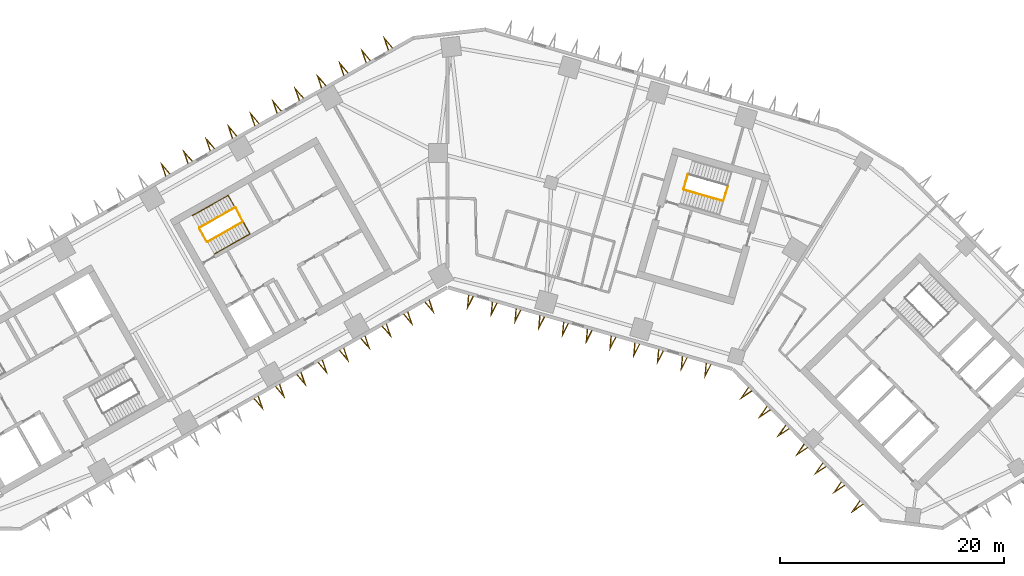
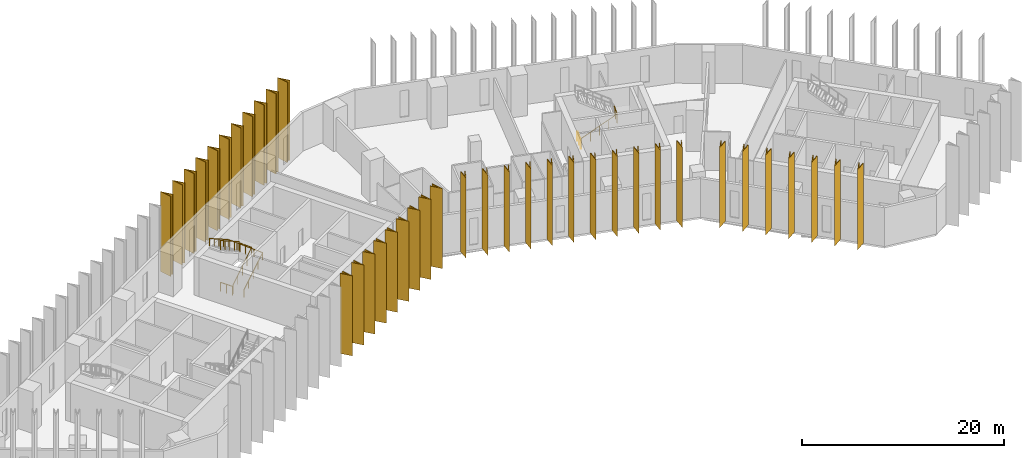
# One storey, part 10 of 11: 38 shading devices, 6 railings.
"""IFC4 building model written with IfcOpenShell, lengths in metres."""

from ifc_helpers import new_model, si_unit, direction, frame, origin, origin_2d, place, context, subcontext, project, spatial, polyline, circle, outline, extrude, material, type_object, element, save


model = new_model("IFC4")

# Units and contexts
model_context = context("Model", 3, precision=1e-05, world=origin(), true_north=direction((0.0, 1.0)))
body_context = subcontext(model_context, "Body", "Model", "MODEL_VIEW")
ifc_project = project(units=[si_unit("LENGTHUNIT", "METRE"), si_unit("AREAUNIT", "SQUARE_METRE"), si_unit("VOLUMEUNIT", "CUBIC_METRE"), si_unit("PLANEANGLEUNIT", "RADIAN"), si_unit("MASSUNIT", "GRAM", prefix="KILO")], contexts=[model_context])

# Site, building, storey
site_placement = place(None, origin())
site = spatial("IfcSite", under=ifc_project, at=site_placement, CompositionType="ELEMENT")
building_placement = place(site_placement, origin())
building = spatial("IfcBuilding", under=site, at=building_placement, Name="Binnacle Exchange Tower", CompositionType="ELEMENT")
storey_placement = place(building_placement, frame((0.0, 0.0, 56.5)))
storey = spatial("IfcBuildingStorey", under=building, at=storey_placement, Name="L11", CompositionType="ELEMENT", Elevation=56.5)

# Railings
ifc_material_1 = material(Name="Steel guard rail", Category="steel")
railing_type_1 = type_object("IfcRailingType", Name="STAIR GUARD 1100", PredefinedType="GUARDRAIL", material=ifc_material_1)
railing_1_placement = place(storey_placement, frame((-21.423828125, 52.07275390625, 0.178466796875)))
element("IfcRailing", 1, at=railing_1_placement, inside=storey, type_object=railing_type_1, Name="L11 STC1 stair guard 1", PredefinedType="GUARDRAIL", context=body_context, shape_type="SweptSolid", body=[
    extrude(circle(Radius=0.02392578125, at=origin_2d()), frame((0.0, 0.0, 1.076171875), z_axis=(0.733838880464, 0.415127627455, 0.537726278364), x_axis=(-0.492371057291, 0.870385398511, 0.0)), (0.0, 0.0, 1.0), 4.3173828125),
    extrude(circle(Radius=0.02392578125, at=origin_2d()), frame((3.168212890625, 1.792236328125, 3.3974609375), z_axis=(-0.461100321709, 0.887348011391, 0.0), x_axis=(-0.887348011391, -0.461100321709, 0.0)), (0.0, 0.0, 1.0), 1.40087890625),
    extrude(circle(Radius=0.02099609375, at=origin_2d()), origin(), (0.0, 0.0, 1.0), 1.052001953125),
    extrude(circle(Radius=0.02099609375, at=origin_2d()), frame((0.7919921875, 0.447998046875, 0.580322265625)), (0.0, 0.0, 1.0), 1.052001953125),
    extrude(circle(Radius=0.02099609375, at=origin_2d()), frame((1.583984375, 0.89599609375, 1.16064453125)), (0.0, 0.0, 1.0), 1.052001953125),
    extrude(circle(Radius=0.02099609375, at=origin_2d()), frame((2.376220703125, 1.34423828125, 1.7412109375)), (0.0, 0.0, 1.0), 1.052001953125),
    extrude(circle(Radius=0.02099609375, at=origin_2d()), frame((3.168212890625, 1.792236328125, 2.321533203125)), (0.0, 0.0, 1.0), 1.052001953125),
    extrude(circle(Radius=0.02099609375, at=origin_2d()), frame((2.84521484375, 2.413818359375, 2.321533203125)), (0.0, 0.0, 1.0), 1.052001953125),
    extrude(circle(Radius=0.02099609375, at=origin_2d()), frame((2.522216796875, 3.035400390625, 2.321533203125)), (0.0, 0.0, 1.0), 1.052001953125),
])
railing_2_placement = place(storey_placement, frame((-18.9697265625, 55.126953125, 2.678466796875)))
element("IfcRailing", 2, at=railing_2_placement, inside=storey, type_object=railing_type_1, Name="L11 STC1 stair guard 2", PredefinedType="GUARDRAIL", context=body_context, shape_type="SweptSolid", body=[
    extrude(circle(Radius=0.02392578125, at=origin_2d()), frame((0.0, 0.0, 1.076171875), z_axis=(-0.733812782489, -0.415144854829, 0.537748593457), x_axis=(0.492399802317, -0.870369137021, 0.0)), (0.0, 0.0, 1.0), 4.317138671875),
    extrude(circle(Radius=0.02099609375, at=origin_2d()), origin(), (0.0, 0.0, 1.0), 1.052001953125),
    extrude(circle(Radius=0.02099609375, at=origin_2d()), frame((-0.7919921875, -0.447998046875, 0.580322265625)), (0.0, 0.0, 1.0), 1.052001953125),
    extrude(circle(Radius=0.02099609375, at=origin_2d()), frame((-1.583984375, -0.89599609375, 1.16064453125)), (0.0, 0.0, 1.0), 1.052001953125),
    extrude(circle(Radius=0.02099609375, at=origin_2d()), frame((-2.3759765625, -1.34423828125, 1.7412109375)), (0.0, 0.0, 1.0), 1.052001953125),
    extrude(circle(Radius=0.02099609375, at=origin_2d()), frame((-3.16796875, -1.792236328125, 2.321533203125)), (0.0, 0.0, 1.0), 1.052001953125),
])
railing_3_placement = place(storey_placement, frame((-21.491943359375, 52.091552734375, 0.0)))
element("IfcRailing", 3, at=railing_3_placement, inside=storey, type_object=railing_type_1, Name="L11 STC1 stair guard 3", PredefinedType="GUARDRAIL", context=body_context, shape_type="SweptSolid", body=[
    extrude(circle(Radius=0.02392578125, at=origin_2d()), frame((0.0, 0.0, 1.076171875), z_axis=(-0.49241474071, 0.870360685654, 0.0), x_axis=(-0.870360685654, -0.49241474071, 0.0)), (0.0, 0.0, 1.0), 1.35009765625),
    extrude(circle(Radius=0.02099609375, at=origin_2d()), origin(), (0.0, 0.0, 1.0), 1.052001953125),
    extrude(circle(Radius=0.02099609375, at=origin_2d()), frame((-0.33251953125, 0.58740234375, 0.0)), (0.0, 0.0, 1.0), 1.052001953125),
    extrude(circle(Radius=0.02099609375, at=origin_2d()), frame((-0.664794921875, 1.175048828125, 0.0)), (0.0, 0.0, 1.0), 1.052001953125),
])
railing_4_placement = place(storey_placement, frame((21.086669921875, 56.71044921875, 0.178466796875)))
element("IfcRailing", 4, at=railing_4_placement, inside=storey, type_object=railing_type_1, Name="L11 STD1 stair guard 1", PredefinedType="GUARDRAIL", context=body_context, shape_type="SweptSolid", body=[
    extrude(circle(Radius=0.02392578125, at=origin_2d()), frame((0.0, 0.0, 1.076171875), z_axis=(0.810455892038, -0.232415135102, 0.537721537635), x_axis=(0.275659984683, 0.961255206927, 0.0)), (0.0, 0.0, 1.0), 4.3173828125),
    extrude(circle(Radius=0.02392578125, at=origin_2d()), frame((3.4990234375, -1.00341796875, 3.3974609375), z_axis=(0.309684985722, 0.950839213337, 0.0), x_axis=(-0.950839213337, 0.309684985722, 0.0)), (0.0, 0.0, 1.0), 1.40087890625),
    extrude(circle(Radius=0.02099609375, at=origin_2d()), origin(), (0.0, 0.0, 1.0), 1.052001953125),
    extrude(circle(Radius=0.02099609375, at=origin_2d()), frame((0.874755859375, -0.2509765625, 0.580322265625)), (0.0, 0.0, 1.0), 1.052001953125),
    extrude(circle(Radius=0.02099609375, at=origin_2d()), frame((1.74951171875, -0.501708984375, 1.16064453125)), (0.0, 0.0, 1.0), 1.052001953125),
    extrude(circle(Radius=0.02099609375, at=origin_2d()), frame((2.624267578125, -0.75244140625, 1.7412109375)), (0.0, 0.0, 1.0), 1.052001953125),
    extrude(circle(Radius=0.02099609375, at=origin_2d()), frame((3.4990234375, -1.00341796875, 2.321533203125)), (0.0, 0.0, 1.0), 1.052001953125),
    extrude(circle(Radius=0.02099609375, at=origin_2d()), frame((3.7158203125, -0.33740234375, 2.321533203125)), (0.0, 0.0, 1.0), 1.052001953125),
    extrude(circle(Radius=0.02099609375, at=origin_2d()), frame((3.932861328125, 0.32861328125, 2.321533203125)), (0.0, 0.0, 1.0), 1.052001953125),
])
railing_5_placement = place(storey_placement, frame((21.05224609375, 56.772216796875, 0.0)))
element("IfcRailing", 5, at=railing_5_placement, inside=storey, type_object=railing_type_1, Name="L11 STD1 stair guard 3", PredefinedType="GUARDRAIL", context=body_context, shape_type="SweptSolid", body=[
    extrude(circle(Radius=0.02392578125, at=origin_2d()), frame((0.0, 0.0, 1.076171875), z_axis=(0.275795817769, 0.961216243569, 0.0), x_axis=(-0.961216243569, 0.275795817769, 0.0)), (0.0, 0.0, 1.0), 1.349853515625),
    extrude(circle(Radius=0.02099609375, at=origin_2d()), origin(), (0.0, 0.0, 1.0), 1.052001953125),
    extrude(circle(Radius=0.02099609375, at=origin_2d()), frame((0.18603515625, 0.64892578125, 0.0)), (0.0, 0.0, 1.0), 1.052001953125),
    extrude(circle(Radius=0.02099609375, at=origin_2d()), frame((0.372314453125, 1.297607421875, 0.0)), (0.0, 0.0, 1.0), 1.052001953125),
])
ifc_material_2 = material(Name="Steel handrail", Category="steel")
railing_type_2 = type_object("IfcRailingType", Name="STAIR HANDRAIL 900", PredefinedType="HANDRAIL", material=ifc_material_2)
railing_6_placement = place(storey_placement, frame((-20.808349609375, 50.984619140625, 0.178466796875)))
element("IfcRailing", 6, at=railing_6_placement, inside=storey, type_object=railing_type_2, Name="L11 STC1 stair handrail 1", PredefinedType="HANDRAIL", context=body_context, shape_type="SweptSolid", body=[
    extrude(circle(Radius=0.02392578125, at=origin_2d()), frame((0.0, 0.0, 0.8759765625), z_axis=(0.733821652932, 0.415174429824, 0.537713654753), x_axis=(-0.492421866095, 0.870356654361, 0.0)), (0.0, 0.0, 1.0), 4.3173828125),
    extrude(circle(Radius=0.02392578125, at=origin_2d()), frame((3.168212890625, 1.79248046875, 3.197265625), z_axis=(-0.491911810019, 0.86947434526, 0.045134621956), x_axis=(-0.870361318571, -0.492413622004, 0.0)), (0.0, 0.0, 1.0), 3.9541015625),
    extrude(circle(Radius=0.02392578125, at=origin_2d()), frame((1.22314453125, 5.23046875, 3.3759765625), z_axis=(-0.733821652932, -0.415174429824, 0.537713654753), x_axis=(0.492421866095, -0.870356654361, 0.0)), (0.0, 0.0, 1.0), 4.3173828125),
    extrude(circle(Radius=0.02099609375, at=origin_2d()), origin(), (0.0, 0.0, 1.0), 0.851806640625),
    extrude(circle(Radius=0.02099609375, at=origin_2d()), frame((0.7919921875, 0.4482421875, 0.580322265625)), (0.0, 0.0, 1.0), 0.851806640625),
    extrude(circle(Radius=0.02099609375, at=origin_2d()), frame((1.583984375, 0.896240234375, 1.16064453125)), (0.0, 0.0, 1.0), 0.851806640625),
    extrude(circle(Radius=0.02099609375, at=origin_2d()), frame((2.376220703125, 1.34423828125, 1.7412109375)), (0.0, 0.0, 1.0), 0.851806640625),
    extrude(circle(Radius=0.02099609375, at=origin_2d()), frame((3.168212890625, 1.79248046875, 2.321533203125)), (0.0, 0.0, 1.0), 0.851806640625),
    extrude(circle(Radius=0.02099609375, at=origin_2d()), frame((2.681884765625, 2.65185546875, 2.3662109375)), (0.0, 0.0, 1.0), 0.851806640625),
    extrude(circle(Radius=0.02099609375, at=origin_2d()), frame((2.19580078125, 3.511474609375, 2.41064453125)), (0.0, 0.0, 1.0), 0.851806640625),
    extrude(circle(Radius=0.02099609375, at=origin_2d()), frame((1.70947265625, 4.37109375, 2.455322265625)), (0.0, 0.0, 1.0), 0.851806640625),
    extrude(circle(Radius=0.02099609375, at=origin_2d()), frame((1.22314453125, 5.23046875, 2.5)), (0.0, 0.0, 1.0), 0.851806640625),
    extrude(circle(Radius=0.02099609375, at=origin_2d()), frame((0.43115234375, 4.7822265625, 3.080322265625)), (0.0, 0.0, 1.0), 0.851806640625),
    extrude(circle(Radius=0.02099609375, at=origin_2d()), frame((-0.36083984375, 4.334228515625, 3.66064453125)), (0.0, 0.0, 1.0), 0.851806640625),
    extrude(circle(Radius=0.02099609375, at=origin_2d()), frame((-1.153076171875, 3.88623046875, 4.2412109375)), (0.0, 0.0, 1.0), 0.851806640625),
    extrude(circle(Radius=0.02099609375, at=origin_2d()), frame((-1.945068359375, 3.43798828125, 4.821533203125)), (0.0, 0.0, 1.0), 0.851806640625),
])

# Shading devices
ifc_material_3 = material(Name="Bronze aluminium cladding", Category="aluminium")
shading_device_type = type_object("IfcShadingDeviceType", Name="V FIN 1300 DEEP x 9680 HIGH", PredefinedType="USERDEFINED", material=ifc_material_3)
shading_device_1_placement = place(storey_placement, origin())
element("IfcShadingDevice", 7, at=shading_device_1_placement, inside=storey, type_object=shading_device_type, Name="V fin FN-F03-01 L11", ObjectType="FIN", PredefinedType="USERDEFINED", context=body_context, shape_type="SweptSolid", body=[
    extrude(outline(polyline([(-4.88916015625, 69.40625), (-5.746826171875, 70.41455078125), (-5.32421875, 69.159912109375), (-5.25341796875, 69.2001953125), (-5.5380859375, 70.0458984375), (-4.9599609375, 69.3662109375), (-4.88916015625, 69.40625)])), origin(), (0.0, 0.0, 1.0), 9.679931640625),
])
shading_device_2_placement = place(storey_placement, origin())
element("IfcShadingDevice", 8, at=shading_device_2_placement, inside=storey, type_object=shading_device_type, Name="V fin FN-F03-02 L11", ObjectType="FIN", PredefinedType="USERDEFINED", context=body_context, shape_type="SweptSolid", body=[
    extrude(outline(polyline([(-6.87548828125, 68.2822265625), (-7.7333984375, 69.290771484375), (-7.310791015625, 68.0361328125), (-7.239990234375, 68.076171875), (-7.524658203125, 68.922119140625), (-6.946533203125, 68.2421875), (-6.87548828125, 68.2822265625)])), origin(), (0.0, 0.0, 1.0), 9.679931640625),
])
shading_device_3_placement = place(storey_placement, origin())
element("IfcShadingDevice", 9, at=shading_device_3_placement, inside=storey, type_object=shading_device_type, Name="V fin FN-F03-03 L11", ObjectType="FIN", PredefinedType="USERDEFINED", context=body_context, shape_type="SweptSolid", body=[
    extrude(outline(polyline([(-8.862060546875, 67.158203125), (-9.719970703125, 68.166748046875), (-9.29736328125, 66.912109375), (-9.226318359375, 66.9521484375), (-9.51123046875, 67.798095703125), (-8.93310546875, 67.1181640625), (-8.862060546875, 67.158203125)])), origin(), (0.0, 0.0, 1.0), 9.679931640625),
])
shading_device_4_placement = place(storey_placement, origin())
element("IfcShadingDevice", 10, at=shading_device_4_placement, inside=storey, type_object=shading_device_type, Name="V fin FN-F03-04 L11", ObjectType="FIN", PredefinedType="USERDEFINED", context=body_context, shape_type="SweptSolid", body=[
    extrude(outline(polyline([(-10.8486328125, 66.034423828125), (-11.70654296875, 67.042724609375), (-11.283935546875, 65.7880859375), (-11.212890625, 65.828369140625), (-11.497802734375, 66.674072265625), (-10.919677734375, 65.994384765625), (-10.8486328125, 66.034423828125)])), origin(), (0.0, 0.0, 1.0), 9.679931640625),
])
shading_device_5_placement = place(storey_placement, origin())
element("IfcShadingDevice", 11, at=shading_device_5_placement, inside=storey, type_object=shading_device_type, Name="V fin FN-F03-05 L11", ObjectType="FIN", PredefinedType="USERDEFINED", context=body_context, shape_type="SweptSolid", body=[
    extrude(outline(polyline([(-12.835205078125, 64.910400390625), (-13.693115234375, 65.9189453125), (-13.2705078125, 64.664306640625), (-13.199462890625, 64.704345703125), (-13.484375, 65.55029296875), (-12.906005859375, 64.870361328125), (-12.835205078125, 64.910400390625)])), origin(), (0.0, 0.0, 1.0), 9.679931640625),
])
shading_device_6_placement = place(storey_placement, origin())
element("IfcShadingDevice", 12, at=shading_device_6_placement, inside=storey, type_object=shading_device_type, Name="V fin FN-F03-06 L11", ObjectType="FIN", PredefinedType="USERDEFINED", context=body_context, shape_type="SweptSolid", body=[
    extrude(outline(polyline([(-14.82177734375, 63.78662109375), (-15.6796875, 64.794921875), (-15.257080078125, 63.540283203125), (-15.18603515625, 63.580322265625), (-15.470947265625, 64.42626953125), (-14.892578125, 63.746337890625), (-14.82177734375, 63.78662109375)])), origin(), (0.0, 0.0, 1.0), 9.679931640625),
])
shading_device_7_placement = place(storey_placement, origin())
element("IfcShadingDevice", 13, at=shading_device_7_placement, inside=storey, type_object=shading_device_type, Name="V fin FN-F03-07 L11", ObjectType="FIN", PredefinedType="USERDEFINED", context=body_context, shape_type="SweptSolid", body=[
    extrude(outline(polyline([(-16.808349609375, 62.66259765625), (-17.666015625, 63.6708984375), (-17.243408203125, 62.41650390625), (-17.172607421875, 62.45654296875), (-17.45751953125, 63.30224609375), (-16.879150390625, 62.62255859375), (-16.808349609375, 62.66259765625)])), origin(), (0.0, 0.0, 1.0), 9.679931640625),
])
shading_device_8_placement = place(storey_placement, origin())
element("IfcShadingDevice", 14, at=shading_device_8_placement, inside=storey, type_object=shading_device_type, Name="V fin FN-F03-08 L11", ObjectType="FIN", PredefinedType="USERDEFINED", context=body_context, shape_type="SweptSolid", body=[
    extrude(outline(polyline([(-18.794921875, 61.53857421875), (-19.652587890625, 62.547119140625), (-19.22998046875, 61.29248046875), (-19.1591796875, 61.33251953125), (-19.444091796875, 62.17822265625), (-18.86572265625, 61.49853515625), (-18.794921875, 61.53857421875)])), origin(), (0.0, 0.0, 1.0), 9.679931640625),
])
shading_device_9_placement = place(storey_placement, origin())
element("IfcShadingDevice", 15, at=shading_device_9_placement, inside=storey, type_object=shading_device_type, Name="V fin FN-F03-09 L11", ObjectType="FIN", PredefinedType="USERDEFINED", context=body_context, shape_type="SweptSolid", body=[
    extrude(outline(polyline([(-20.781494140625, 60.414794921875), (-21.639404296875, 61.423095703125), (-21.216796875, 60.16845703125), (-21.145751953125, 60.20849609375), (-21.4306640625, 61.054443359375), (-20.852294921875, 60.37451171875), (-20.781494140625, 60.414794921875)])), origin(), (0.0, 0.0, 1.0), 9.679931640625),
])
shading_device_10_placement = place(storey_placement, origin())
element("IfcShadingDevice", 16, at=shading_device_10_placement, inside=storey, type_object=shading_device_type, Name="V fin FN-F03-10 L11", ObjectType="FIN", PredefinedType="USERDEFINED", context=body_context, shape_type="SweptSolid", body=[
    extrude(outline(polyline([(-22.76806640625, 59.290771484375), (-23.625732421875, 60.29931640625), (-23.203125, 59.044677734375), (-23.13232421875, 59.084716796875), (-23.4169921875, 59.930419921875), (-22.8388671875, 59.250732421875), (-22.76806640625, 59.290771484375)])), origin(), (0.0, 0.0, 1.0), 9.679931640625),
])
shading_device_11_placement = place(storey_placement, origin())
element("IfcShadingDevice", 17, at=shading_device_11_placement, inside=storey, type_object=shading_device_type, Name="V fin FN-F03-11 L11", ObjectType="FIN", PredefinedType="USERDEFINED", context=body_context, shape_type="SweptSolid", body=[
    extrude(outline(polyline([(-24.754638671875, 58.166748046875), (-25.6123046875, 59.17529296875), (-25.189697265625, 57.920654296875), (-25.118896484375, 57.960693359375), (-25.40380859375, 58.806396484375), (-24.825439453125, 58.126708984375), (-24.754638671875, 58.166748046875)])), origin(), (0.0, 0.0, 1.0), 9.679931640625),
])
shading_device_12_placement = place(storey_placement, origin())
element("IfcShadingDevice", 18, at=shading_device_12_placement, inside=storey, type_object=shading_device_type, Name="V fin FN-F07-11 L11", ObjectType="FIN", PredefinedType="USERDEFINED", context=body_context, shape_type="SweptSolid", body=[
    extrude(outline(polyline([(-17.28759765625, 38.046875), (-16.429931640625, 37.038330078125), (-16.8525390625, 38.29296875), (-16.92333984375, 38.2529296875), (-16.638671875, 37.406982421875), (-17.216796875, 38.0869140625), (-17.28759765625, 38.046875)])), origin(), (0.0, 0.0, 1.0), 9.679931640625),
])
shading_device_13_placement = place(storey_placement, origin())
element("IfcShadingDevice", 19, at=shading_device_13_placement, inside=storey, type_object=shading_device_type, Name="V fin FN-F07-12 L11", ObjectType="FIN", PredefinedType="USERDEFINED", context=body_context, shape_type="SweptSolid", body=[
    extrude(outline(polyline([(-15.3828125, 39.12451171875), (-14.525146484375, 38.1162109375), (-14.94775390625, 39.37060546875), (-15.0185546875, 39.33056640625), (-14.73388671875, 38.48486328125), (-15.31201171875, 39.16455078125), (-15.3828125, 39.12451171875)])), origin(), (0.0, 0.0, 1.0), 9.679931640625),
])
shading_device_14_placement = place(storey_placement, origin())
element("IfcShadingDevice", 20, at=shading_device_14_placement, inside=storey, type_object=shading_device_type, Name="V fin FN-F07-13 L11", ObjectType="FIN", PredefinedType="USERDEFINED", context=body_context, shape_type="SweptSolid", body=[
    extrude(outline(polyline([(-13.477783203125, 40.2021484375), (-12.6201171875, 39.19384765625), (-13.042724609375, 40.448486328125), (-13.113525390625, 40.408203125), (-12.828857421875, 39.5625), (-13.406982421875, 40.2421875), (-13.477783203125, 40.2021484375)])), origin(), (0.0, 0.0, 1.0), 9.679931640625),
])
shading_device_15_placement = place(storey_placement, origin())
element("IfcShadingDevice", 21, at=shading_device_15_placement, inside=storey, type_object=shading_device_type, Name="V fin FN-F07-14 L11", ObjectType="FIN", PredefinedType="USERDEFINED", context=body_context, shape_type="SweptSolid", body=[
    extrude(outline(polyline([(-11.572998046875, 41.280029296875), (-10.715087890625, 40.271484375), (-11.1376953125, 41.526123046875), (-11.208740234375, 41.486083984375), (-10.923828125, 40.640380859375), (-11.502197265625, 41.320068359375), (-11.572998046875, 41.280029296875)])), origin(), (0.0, 0.0, 1.0), 9.679931640625),
])
shading_device_16_placement = place(storey_placement, origin())
element("IfcShadingDevice", 22, at=shading_device_16_placement, inside=storey, type_object=shading_device_type, Name="V fin FN-F07-15 L11", ObjectType="FIN", PredefinedType="USERDEFINED", context=body_context, shape_type="SweptSolid", body=[
    extrude(outline(polyline([(-9.668212890625, 42.357666015625), (-8.810302734375, 41.349365234375), (-9.23291015625, 42.60400390625), (-9.303955078125, 42.563720703125), (-9.01904296875, 41.718017578125), (-9.597412109375, 42.397705078125), (-9.668212890625, 42.357666015625)])), origin(), (0.0, 0.0, 1.0), 9.679931640625),
])
shading_device_17_placement = place(storey_placement, origin())
element("IfcShadingDevice", 23, at=shading_device_17_placement, inside=storey, type_object=shading_device_type, Name="V fin FN-F07-16 L11", ObjectType="FIN", PredefinedType="USERDEFINED", context=body_context, shape_type="SweptSolid", body=[
    extrude(outline(polyline([(-7.76318359375, 43.435302734375), (-6.905517578125, 42.427001953125), (-7.327880859375, 43.681640625), (-7.39892578125, 43.6416015625), (-7.114013671875, 42.795654296875), (-7.6923828125, 43.4755859375), (-7.76318359375, 43.435302734375)])), origin(), (0.0, 0.0, 1.0), 9.679931640625),
])
shading_device_18_placement = place(storey_placement, origin())
element("IfcShadingDevice", 24, at=shading_device_18_placement, inside=storey, type_object=shading_device_type, Name="V fin FN-F07-17 L11", ObjectType="FIN", PredefinedType="USERDEFINED", context=body_context, shape_type="SweptSolid", body=[
    extrude(outline(polyline([(-5.8583984375, 44.51318359375), (-5.00048828125, 43.5048828125), (-5.423095703125, 44.759521484375), (-5.494140625, 44.71923828125), (-5.209228515625, 43.87353515625), (-5.78759765625, 44.55322265625), (-5.8583984375, 44.51318359375)])), origin(), (0.0, 0.0, 1.0), 9.679931640625),
])
shading_device_19_placement = place(storey_placement, origin())
element("IfcShadingDevice", 25, at=shading_device_19_placement, inside=storey, type_object=shading_device_type, Name="V fin FN-F07-18 L11", ObjectType="FIN", PredefinedType="USERDEFINED", context=body_context, shape_type="SweptSolid", body=[
    extrude(outline(polyline([(-3.95361328125, 45.5908203125), (-3.095703125, 44.58251953125), (-3.518310546875, 45.837158203125), (-3.589111328125, 45.797119140625), (-3.304443359375, 44.951171875), (-3.882568359375, 45.631103515625), (-3.95361328125, 45.5908203125)])), origin(), (0.0, 0.0, 1.0), 9.679931640625),
])
shading_device_20_placement = place(storey_placement, origin())
element("IfcShadingDevice", 26, at=shading_device_20_placement, inside=storey, type_object=shading_device_type, Name="V fin FN-F07-19 L11", ObjectType="FIN", PredefinedType="USERDEFINED", context=body_context, shape_type="SweptSolid", body=[
    extrude(outline(polyline([(-2.048583984375, 46.668701171875), (-1.19091796875, 45.660400390625), (-1.61328125, 46.914794921875), (-1.684326171875, 46.874755859375), (-1.3994140625, 46.029052734375), (-1.977783203125, 46.708740234375), (-2.048583984375, 46.668701171875)])), origin(), (0.0, 0.0, 1.0), 9.679931640625),
])
shading_device_21_placement = place(storey_placement, origin())
element("IfcShadingDevice", 27, at=shading_device_21_placement, inside=storey, type_object=shading_device_type, Name="V fin FN-F08-01 L11", ObjectType="FIN", PredefinedType="USERDEFINED", context=body_context, shape_type="SweptSolid", body=[
    extrude(outline(polyline([(1.837890625, 47.31689453125), (1.719970703125, 45.998291015625), (2.318603515625, 47.17919921875), (2.240234375, 47.201416015625), (1.836669921875, 46.405517578125), (1.916259765625, 47.29443359375), (1.837890625, 47.31689453125)])), origin(), (0.0, 0.0, 1.0), 9.679931640625),
])
shading_device_22_placement = place(storey_placement, origin())
element("IfcShadingDevice", 28, at=shading_device_22_placement, inside=storey, type_object=shading_device_type, Name="V fin FN-F08-02 L11", ObjectType="FIN", PredefinedType="USERDEFINED", context=body_context, shape_type="SweptSolid", body=[
    extrude(outline(polyline([(3.957763671875, 46.708984375), (3.839599609375, 45.390625), (4.438232421875, 46.5712890625), (4.360107421875, 46.59375), (3.956298828125, 45.7978515625), (4.035888671875, 46.686767578125), (3.957763671875, 46.708984375)])), origin(), (0.0, 0.0, 1.0), 9.679931640625),
])
shading_device_23_placement = place(storey_placement, origin())
element("IfcShadingDevice", 29, at=shading_device_23_placement, inside=storey, type_object=shading_device_type, Name="V fin FN-F08-03 L11", ObjectType="FIN", PredefinedType="USERDEFINED", context=body_context, shape_type="SweptSolid", body=[
    extrude(outline(polyline([(6.077392578125, 46.101318359375), (5.95947265625, 44.78271484375), (6.55810546875, 45.96337890625), (6.479736328125, 45.98583984375), (6.076171875, 45.18994140625), (6.15576171875, 46.078857421875), (6.077392578125, 46.101318359375)])), origin(), (0.0, 0.0, 1.0), 9.679931640625),
])
shading_device_24_placement = place(storey_placement, origin())
element("IfcShadingDevice", 30, at=shading_device_24_placement, inside=storey, type_object=shading_device_type, Name="V fin FN-F08-04 L11", ObjectType="FIN", PredefinedType="USERDEFINED", context=body_context, shape_type="SweptSolid", body=[
    extrude(outline(polyline([(8.197021484375, 45.493408203125), (8.0791015625, 44.175048828125), (8.677734375, 45.355712890625), (8.599365234375, 45.378173828125), (8.19580078125, 44.582275390625), (8.275390625, 45.47119140625), (8.197021484375, 45.493408203125)])), origin(), (0.0, 0.0, 1.0), 9.679931640625),
])
shading_device_25_placement = place(storey_placement, origin())
element("IfcShadingDevice", 31, at=shading_device_25_placement, inside=storey, type_object=shading_device_type, Name="V fin FN-F08-05 L11", ObjectType="FIN", PredefinedType="USERDEFINED", context=body_context, shape_type="SweptSolid", body=[
    extrude(outline(polyline([(10.316650390625, 44.8857421875), (10.19873046875, 43.567138671875), (10.79736328125, 44.747802734375), (10.718994140625, 44.770263671875), (10.3154296875, 43.974365234375), (10.39501953125, 44.86328125), (10.316650390625, 44.8857421875)])), origin(), (0.0, 0.0, 1.0), 9.679931640625),
])
shading_device_26_placement = place(storey_placement, origin())
element("IfcShadingDevice", 32, at=shading_device_26_placement, inside=storey, type_object=shading_device_type, Name="V fin FN-F08-06 L11", ObjectType="FIN", PredefinedType="USERDEFINED", context=body_context, shape_type="SweptSolid", body=[
    extrude(outline(polyline([(12.436279296875, 44.27783203125), (12.318359375, 42.95947265625), (12.9169921875, 44.14013671875), (12.838623046875, 44.16259765625), (12.43505859375, 43.36669921875), (12.5146484375, 44.255615234375), (12.436279296875, 44.27783203125)])), origin(), (0.0, 0.0, 1.0), 9.679931640625),
])
shading_device_27_placement = place(storey_placement, origin())
element("IfcShadingDevice", 33, at=shading_device_27_placement, inside=storey, type_object=shading_device_type, Name="V fin FN-F08-07 L11", ObjectType="FIN", PredefinedType="USERDEFINED", context=body_context, shape_type="SweptSolid", body=[
    extrude(outline(polyline([(14.55615234375, 43.670166015625), (14.43798828125, 42.3515625), (15.03662109375, 43.5322265625), (14.95849609375, 43.5546875), (14.5546875, 42.7587890625), (14.634521484375, 43.647705078125), (14.55615234375, 43.670166015625)])), origin(), (0.0, 0.0, 1.0), 9.679931640625),
])
shading_device_28_placement = place(storey_placement, origin())
element("IfcShadingDevice", 34, at=shading_device_28_placement, inside=storey, type_object=shading_device_type, Name="V fin FN-F08-08 L11", ObjectType="FIN", PredefinedType="USERDEFINED", context=body_context, shape_type="SweptSolid", body=[
    extrude(outline(polyline([(16.67578125, 43.062255859375), (16.557861328125, 41.743896484375), (17.156494140625, 42.924560546875), (17.078125, 42.947021484375), (16.674560546875, 42.15087890625), (16.754150390625, 43.039794921875), (16.67578125, 43.062255859375)])), origin(), (0.0, 0.0, 1.0), 9.679931640625),
])
shading_device_29_placement = place(storey_placement, origin())
element("IfcShadingDevice", 35, at=shading_device_29_placement, inside=storey, type_object=shading_device_type, Name="V fin FN-F08-09 L11", ObjectType="FIN", PredefinedType="USERDEFINED", context=body_context, shape_type="SweptSolid", body=[
    extrude(outline(polyline([(18.79541015625, 42.454345703125), (18.677490234375, 41.135986328125), (19.276123046875, 42.316650390625), (19.19775390625, 42.339111328125), (18.794189453125, 41.543212890625), (18.873779296875, 42.431884765625), (18.79541015625, 42.454345703125)])), origin(), (0.0, 0.0, 1.0), 9.679931640625),
])
shading_device_30_placement = place(storey_placement, origin())
element("IfcShadingDevice", 36, at=shading_device_30_placement, inside=storey, type_object=shading_device_type, Name="V fin FN-F08-10 L11", ObjectType="FIN", PredefinedType="USERDEFINED", context=body_context, shape_type="SweptSolid", body=[
    extrude(outline(polyline([(20.9150390625, 41.8466796875), (20.797119140625, 40.528076171875), (21.395751953125, 41.708740234375), (21.3173828125, 41.731201171875), (20.913818359375, 40.935302734375), (20.993408203125, 41.82421875), (20.9150390625, 41.8466796875)])), origin(), (0.0, 0.0, 1.0), 9.679931640625),
])
shading_device_31_placement = place(storey_placement, origin())
element("IfcShadingDevice", 37, at=shading_device_31_placement, inside=storey, type_object=shading_device_type, Name="V fin FN-F08-11 L11", ObjectType="FIN", PredefinedType="USERDEFINED", context=body_context, shape_type="SweptSolid", body=[
    extrude(outline(polyline([(23.034912109375, 41.23876953125), (22.916748046875, 39.92041015625), (23.515380859375, 41.10107421875), (23.43701171875, 41.123291015625), (23.033447265625, 40.327392578125), (23.113037109375, 41.21630859375), (23.034912109375, 41.23876953125)])), origin(), (0.0, 0.0, 1.0), 9.679931640625),
])
shading_device_32_placement = place(storey_placement, origin())
element("IfcShadingDevice", 38, at=shading_device_32_placement, inside=storey, type_object=shading_device_type, Name="V fin FN-F09-01 L11", ObjectType="FIN", PredefinedType="USERDEFINED", context=body_context, shape_type="SweptSolid", body=[
    extrude(outline(polyline([(26.810791015625, 39.093505859375), (26.05859375, 38.00390625), (27.1611328125, 38.73681640625), (27.10400390625, 38.794921875), (26.36083984375, 38.30078125), (26.867919921875, 39.035400390625), (26.810791015625, 39.093505859375)])), origin(), (0.0, 0.0, 1.0), 9.679931640625),
])
shading_device_33_placement = place(storey_placement, origin())
element("IfcShadingDevice", 39, at=shading_device_33_placement, inside=storey, type_object=shading_device_type, Name="V fin FN-F09-02 L11", ObjectType="FIN", PredefinedType="USERDEFINED", context=body_context, shape_type="SweptSolid", body=[
    extrude(outline(polyline([(28.467529296875, 37.407470703125), (27.715576171875, 36.31787109375), (28.818115234375, 37.05078125), (28.760986328125, 37.10888671875), (28.017578125, 36.61474609375), (28.524658203125, 37.349365234375), (28.467529296875, 37.407470703125)])), origin(), (0.0, 0.0, 1.0), 9.679931640625),
])
shading_device_34_placement = place(storey_placement, origin())
element("IfcShadingDevice", 40, at=shading_device_34_placement, inside=storey, type_object=shading_device_type, Name="V fin FN-F09-03 L11", ObjectType="FIN", PredefinedType="USERDEFINED", context=body_context, shape_type="SweptSolid", body=[
    extrude(outline(polyline([(30.12451171875, 35.721435546875), (29.372314453125, 34.632080078125), (30.474853515625, 35.364990234375), (30.417724609375, 35.423095703125), (29.674560546875, 34.928955078125), (30.181396484375, 35.663330078125), (30.12451171875, 35.721435546875)])), origin(), (0.0, 0.0, 1.0), 9.679931640625),
])
shading_device_35_placement = place(storey_placement, origin())
element("IfcShadingDevice", 41, at=shading_device_35_placement, inside=storey, type_object=shading_device_type, Name="V fin FN-F09-04 L11", ObjectType="FIN", PredefinedType="USERDEFINED", context=body_context, shape_type="SweptSolid", body=[
    extrude(outline(polyline([(31.78125, 34.035400390625), (31.029296875, 32.94580078125), (32.131591796875, 33.6787109375), (32.07470703125, 33.73681640625), (31.331298828125, 33.242919921875), (31.83837890625, 33.977294921875), (31.78125, 34.035400390625)])), origin(), (0.0, 0.0, 1.0), 9.679931640625),
])
shading_device_36_placement = place(storey_placement, origin())
element("IfcShadingDevice", 42, at=shading_device_36_placement, inside=storey, type_object=shading_device_type, Name="V fin FN-F09-05 L11", ObjectType="FIN", PredefinedType="USERDEFINED", context=body_context, shape_type="SweptSolid", body=[
    extrude(outline(polyline([(33.43798828125, 32.349365234375), (32.68603515625, 31.260009765625), (33.78857421875, 31.992919921875), (33.7314453125, 32.05078125), (32.98828125, 31.556884765625), (33.4951171875, 32.291259765625), (33.43798828125, 32.349365234375)])), origin(), (0.0, 0.0, 1.0), 9.679931640625),
])
shading_device_37_placement = place(storey_placement, origin())
element("IfcShadingDevice", 43, at=shading_device_37_placement, inside=storey, type_object=shading_device_type, Name="V fin FN-F09-06 L11", ObjectType="FIN", PredefinedType="USERDEFINED", context=body_context, shape_type="SweptSolid", body=[
    extrude(outline(polyline([(35.094970703125, 30.663330078125), (34.343017578125, 29.573974609375), (35.4453125, 30.306884765625), (35.38818359375, 30.364990234375), (34.64501953125, 29.870849609375), (35.152099609375, 30.605224609375), (35.094970703125, 30.663330078125)])), origin(), (0.0, 0.0, 1.0), 9.679931640625),
])
shading_device_38_placement = place(storey_placement, origin())
element("IfcShadingDevice", 44, at=shading_device_38_placement, inside=storey, type_object=shading_device_type, Name="V fin FN-F09-07 L11", ObjectType="FIN", PredefinedType="USERDEFINED", context=body_context, shape_type="SweptSolid", body=[
    extrude(outline(polyline([(36.751708984375, 28.977294921875), (35.999755859375, 27.887939453125), (37.102294921875, 28.620849609375), (37.045166015625, 28.678955078125), (36.302001953125, 28.184814453125), (36.808837890625, 28.919189453125), (36.751708984375, 28.977294921875)])), origin(), (0.0, 0.0, 1.0), 9.679931640625),
])

save(model, "model.ifc")
